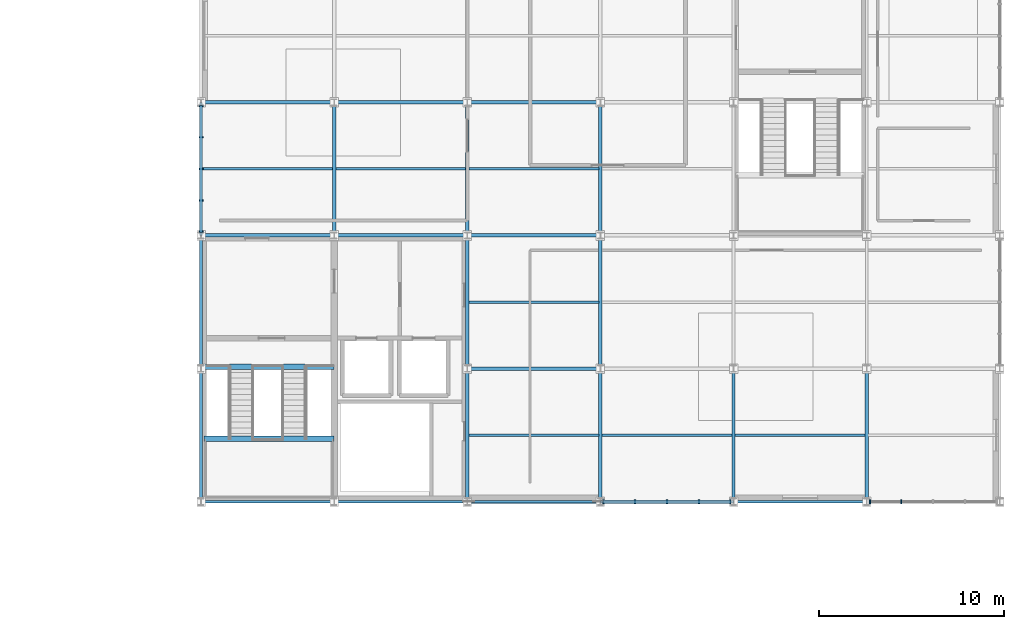
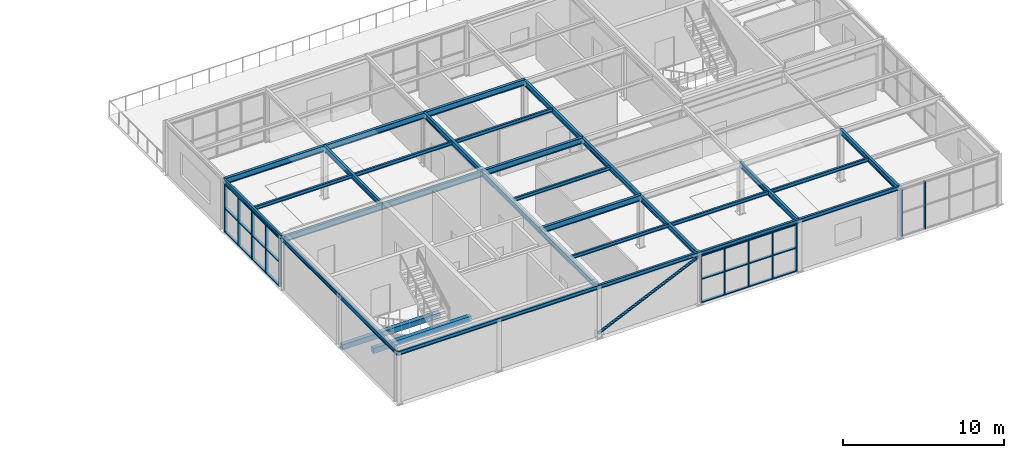
# One storey, part 11 of 30: 33 beams, 19 members, 3 elements without a shape of their own.
"""IFC4 building model written with IfcOpenShell, lengths in metres."""

from ifc_helpers import new_model, si_unit, direction, frame, origin, origin_2d, place, context, subcontext, project, spatial, rectangle, hollow_circle, i_section, extrude, material, material_profile, profile_set, type_object, element, aggregate, save


model = new_model("IFC4")

# Units and contexts
model_context = context("Model", 3, precision=1e-05, world=origin(), true_north=direction((0.0, 1.0)))
body_context = subcontext(model_context, "Body", "Model", "MODEL_VIEW")
ifc_project = project(units=[si_unit("LENGTHUNIT", "METRE"), si_unit("AREAUNIT", "SQUARE_METRE"), si_unit("VOLUMEUNIT", "CUBIC_METRE"), si_unit("PLANEANGLEUNIT", "RADIAN"), si_unit("MASSUNIT", "GRAM", prefix="KILO")], contexts=[model_context])

# Site, building, storey
site_placement = place(None, origin())
site = spatial("IfcSite", under=ifc_project, at=site_placement, CompositionType="ELEMENT")
building_placement = place(site_placement, origin())
building = spatial("IfcBuilding", under=site, at=building_placement, Name="Leyfeld Transit Interchange", CompositionType="ELEMENT")
storey_placement = place(building_placement, frame((0.0, 0.0, 13.800048828125)))
storey = spatial("IfcBuildingStorey", under=building, at=storey_placement, Name="L03", CompositionType="ELEMENT", Elevation=13.800048828125)

# Beams
ifc_material_1 = material(Name="Concrete C35/45", Category="concrete")
ifc_material_profile_1 = material_profile(ifc_material_1, rectangle(XDim=0.300048828125, YDim=0.39990234375, at=origin_2d()), Name="RC 400x300")
ifc_profile_set_1 = profile_set([ifc_material_profile_1], Name="Concrete C35/45")
beam_type_1 = type_object("IfcBeamType", Name="BM-RC-400x300", PredefinedType="LINTEL", material=ifc_profile_set_1)
for number, where, z_axis, x_axis, name in (
    (1, (136.949951171875, 64.89990234375, -0.199951171875), (1.0, 0.0, 0.0), (0.0, 1.0, 0.0), "Core K4 Floor Landing Corbel L03"),
    (2, (136.949951171875, 61.0, 1.89990234375), (1.0, 0.0, 0.0), (0.0, 1.0, 0.0), "Stair ST-04 L03 Half-Landing Corbel"),
):
    element("IfcBeam", number, at=place(storey_placement, frame(where, z_axis=z_axis, x_axis=x_axis)), inside=storey, type_object=beam_type_1, Name=name, PredefinedType="LINTEL", context=body_context, shape_type="SweptSolid", body=[
        extrude(rectangle(XDim=0.300048828125, YDim=0.39990234375, at=origin_2d()), origin(), (0.0, 0.0, 1.0), 7.050048828125),
    ])
ifc_material_2 = material(Name="Steel S355J2", Category="steel")
ifc_material_profile_2 = material_profile(ifc_material_2, i_section(OverallWidth=0.135009765625, OverallDepth=0.27001953125, WebThickness=0.006591796875, FlangeThickness=0.01025390625, FilletRadius=0.014892578125, at=origin_2d()), Name="IPE 270")
ifc_profile_set_2 = profile_set([ifc_material_profile_2], Name="Steel S355J2")
beam_type_2 = type_object("IfcBeamType", Name="BM-STL-IPE270", PredefinedType="BEAM", material=ifc_profile_set_2)
for number, where, z_axis, x_axis, name in (
    (3, (151.287109375, 61.199951171875, 3.784912109375), (1.0, 0.0, 0.0), (0.0, 1.0, 0.0), "Beam BM-L03-1513_0612-1583_0612"),
    (4, (151.287109375, 68.39990234375, 3.784912109375), (1.0, 0.0, 0.0), (0.0, 1.0, 0.0), "Beam BM-L03-1513_0684-1583_0684"),
):
    element("IfcBeam", number, at=place(storey_placement, frame(where, z_axis=z_axis, x_axis=x_axis)), inside=storey, type_object=beam_type_2, Name=name, PredefinedType="BEAM", context=body_context, shape_type="SweptSolid", body=[
        extrude(i_section(OverallWidth=0.135009765625, OverallDepth=0.27001953125, WebThickness=0.006591796875, FlangeThickness=0.01025390625, FilletRadius=0.014892578125, at=origin_2d()), origin(), (0.0, 0.0, 1.0), 7.02587890625),
    ])
beam_1_placement = place(storey_placement, frame((136.8720703125, 75.60009765625, 3.844970703125), z_axis=(1.0, 0.0, 0.0), x_axis=(0.0, 1.0, 0.0)))
element("IfcBeam", 5, at=beam_1_placement, inside=storey, type_object=beam_type_2, Name="Beam BM-L03-1369_0756-1439_0756", PredefinedType="BEAM", context=body_context, shape_type="SweptSolid", body=[
    extrude(i_section(OverallWidth=0.135009765625, OverallDepth=0.27001953125, WebThickness=0.006591796875, FlangeThickness=0.01025390625, FilletRadius=0.014892578125, at=origin_2d()), origin(), (0.0, 0.0, 1.0), 7.041015625),
])
beam_2_placement = place(storey_placement, frame((144.0869140625, 75.60009765625, 3.844970703125), z_axis=(1.0, 0.0, 0.0), x_axis=(0.0, 1.0, 0.0)))
element("IfcBeam", 6, at=beam_2_placement, inside=storey, type_object=beam_type_2, Name="Beam BM-L03-1441_0756-1511_0756", PredefinedType="BEAM", context=body_context, shape_type="SweptSolid", body=[
    extrude(i_section(OverallWidth=0.135009765625, OverallDepth=0.27001953125, WebThickness=0.006591796875, FlangeThickness=0.01025390625, FilletRadius=0.014892578125, at=origin_2d()), origin(), (0.0, 0.0, 1.0), 7.026123046875),
])
for number, where, z_axis, x_axis, name in (
    (7, (151.287109375, 75.60009765625, 3.844970703125), (1.0, 0.0, 0.0), (0.0, 1.0, 0.0), "Beam BM-L03-1513_0756-1583_0756"),
    (8, (158.487060546875, 61.199951171875, 3.764892578125), (1.0, 0.0, 0.0), (0.0, 1.0, 0.0), "Beam BM-L03-1585_0612-1655_0612"),
    (9, (165.68701171875, 61.199951171875, 3.764892578125), (1.0, 0.0, 0.0), (0.0, 1.0, 0.0), "Beam BM-L03-1657_0612-1727_0612"),
):
    element("IfcBeam", number, at=place(storey_placement, frame(where, z_axis=z_axis, x_axis=x_axis)), inside=storey, type_object=beam_type_2, Name=name, PredefinedType="BEAM", context=body_context, shape_type="SweptSolid", body=[
        extrude(i_section(OverallWidth=0.135009765625, OverallDepth=0.27001953125, WebThickness=0.006591796875, FlangeThickness=0.01025390625, FilletRadius=0.014892578125, at=origin_2d()), origin(), (0.0, 0.0, 1.0), 7.02587890625),
    ])
ifc_material_profile_3 = material_profile(ifc_material_2, i_section(OverallWidth=0.14990234375, OverallDepth=0.300048828125, WebThickness=0.007080078125, FlangeThickness=0.0107421875, FilletRadius=0.014892578125, at=origin_2d()), Name="IPE 300")
ifc_profile_set_3 = profile_set([ifc_material_profile_3], Name="Steel S355J2")
beam_type_3 = type_object("IfcBeamType", Name="BM-STL-IPE300", PredefinedType="SPANDREL", material=ifc_profile_set_3)
for number, where, z_axis, x_axis, name in (
    (10, (136.800048828125, 57.60009765625, 3.77001953125), (0.0, 1.0, 0.0), (-1.0, 0.0, 0.0), "Beam BM-L03-1368_0576-1368_0648"),
    (11, (136.800048828125, 64.800048828125, 3.77001953125), (0.0, 1.0, 0.0), (-1.0, 0.0, 0.0), "Beam BM-L03-1368_0648-1368_0720"),
    (12, (136.800048828125, 57.60009765625, 3.77001953125), (1.0, 0.0, 0.0), (0.0, 1.0, 0.0), "Beam BM-L03-1368_0576-1440_0576"),
    (13, (144.0, 57.60009765625, 3.77001953125), (1.0, 0.0, 0.0), (0.0, 1.0, 0.0), "Beam BM-L03-1440_0576-1512_0576"),
    (14, (151.199951171875, 57.60009765625, 3.77001953125), (1.0, 0.0, 0.0), (0.0, 1.0, 0.0), "Beam BM-L03-1512_0576-1584_0576"),
    (15, (136.800048828125, 72.0, 3.829833984375), (0.0, 1.0, 0.0), (-1.0, 0.0, 0.0), "Beam BM-L03-1368_0720-1368_0792"),
):
    element("IfcBeam", number, at=place(storey_placement, frame(where, z_axis=z_axis, x_axis=x_axis)), inside=storey, type_object=beam_type_3, Name=name, PredefinedType="SPANDREL", context=body_context, shape_type="SweptSolid", body=[
        extrude(i_section(OverallWidth=0.14990234375, OverallDepth=0.300048828125, WebThickness=0.007080078125, FlangeThickness=0.0107421875, FilletRadius=0.014892578125, at=origin_2d()), origin(), (0.0, 0.0, 1.0), 7.199951171875),
    ])
beam_3_placement = place(storey_placement, frame((158.39990234375, 57.60009765625, 3.75), z_axis=(1.0, 0.0, 0.0), x_axis=(0.0, 1.0, 0.0)))
element("IfcBeam", 16, at=beam_3_placement, inside=storey, type_object=beam_type_3, Name="Beam BM-L03-1584_0576-1656_0576", PredefinedType="SPANDREL", context=body_context, shape_type="SweptSolid", body=[
    extrude(i_section(OverallWidth=0.14990234375, OverallDepth=0.300048828125, WebThickness=0.007080078125, FlangeThickness=0.0107421875, FilletRadius=0.014892578125, at=origin_2d()), origin(), (0.0, 0.0, 1.0), 7.2001953125),
])
beam_4_placement = place(storey_placement, frame((165.60009765625, 57.60009765625, 3.75), z_axis=(1.0, 0.0, 0.0), x_axis=(0.0, 1.0, 0.0)))
element("IfcBeam", 17, at=beam_4_placement, inside=storey, type_object=beam_type_3, Name="Beam BM-L03-1656_0576-1728_0576", PredefinedType="SPANDREL", context=body_context, shape_type="SweptSolid", body=[
    extrude(i_section(OverallWidth=0.14990234375, OverallDepth=0.300048828125, WebThickness=0.007080078125, FlangeThickness=0.0107421875, FilletRadius=0.014892578125, at=origin_2d()), origin(), (0.0, 0.0, 1.0), 7.199951171875),
])
ifc_material_profile_4 = material_profile(ifc_material_2, i_section(OverallWidth=0.179931640625, OverallDepth=0.39990234375, WebThickness=0.008544921875, FlangeThickness=0.013427734375, FilletRadius=0.02099609375, at=origin_2d()), Name="IPE 400")
ifc_profile_set_4 = profile_set([ifc_material_profile_4], Name="Steel S355J2")
beam_type_4 = type_object("IfcBeamType", Name="BM-STL-IPE400", PredefinedType="BEAM", material=ifc_profile_set_4)
for number, where, z_axis, x_axis, name in (
    (18, (151.199951171875, 57.60009765625, 3.719970703125), (0.0, 1.0, 0.0), (-1.0, 0.0, 0.0), "Beam BM-L03-1512_0576-1512_0648"),
    (19, (151.199951171875, 64.800048828125, 3.719970703125), (0.0, 1.0, 0.0), (-1.0, 0.0, 0.0), "Beam BM-L03-1512_0648-1512_0720"),
    (20, (158.39990234375, 57.60009765625, 3.699951171875), (0.0, 1.0, 0.0), (-1.0, 0.0, 0.0), "Beam BM-L03-1584_0576-1584_0648"),
    (21, (158.39990234375, 64.800048828125, 3.719970703125), (0.0, 1.0, 0.0), (-1.0, 0.0, 0.0), "Beam BM-L03-1584_0648-1584_0720"),
    (22, (158.39990234375, 72.0, 3.719970703125), (0.0, 1.0, 0.0), (-1.0, 0.0, 0.0), "Beam BM-L03-1584_0720-1584_0792"),
    (23, (144.0, 72.0, 3.780029296875), (0.0, 1.0, 0.0), (-1.0, 0.0, 0.0), "Beam BM-L03-1440_0720-1440_0792"),
    (24, (151.199951171875, 72.0, 3.780029296875), (0.0, 1.0, 0.0), (-1.0, 0.0, 0.0), "Beam BM-L03-1512_0720-1512_0792"),
    (25, (165.60009765625, 57.60009765625, 3.699951171875), (0.0, 1.0, 0.0), (-1.0, 0.0, 0.0), "Beam BM-L03-1656_0576-1656_0648"),
    (26, (172.800048828125, 57.60009765625, 3.699951171875), (0.0, 1.0, 0.0), (-1.0, 0.0, 0.0), "Beam BM-L03-1728_0576-1728_0648"),
):
    element("IfcBeam", number, at=place(storey_placement, frame(where, z_axis=z_axis, x_axis=x_axis)), inside=storey, type_object=beam_type_4, Name=name, PredefinedType="BEAM", context=body_context, shape_type="SweptSolid", body=[
        extrude(i_section(OverallWidth=0.179931640625, OverallDepth=0.39990234375, WebThickness=0.008544921875, FlangeThickness=0.013427734375, FilletRadius=0.02099609375, at=origin_2d()), origin(), (0.0, 0.0, 1.0), 7.199951171875),
    ])
ifc_material_profile_5 = material_profile(ifc_material_2, i_section(OverallWidth=0.18994140625, OverallDepth=0.449951171875, WebThickness=0.009521484375, FlangeThickness=0.0146484375, FilletRadius=0.02099609375, at=origin_2d()), Name="IPE 450")
ifc_profile_set_5 = profile_set([ifc_material_profile_5], Name="Steel S355J2")
beam_type_5 = type_object("IfcBeamType", Name="BM-STL-IPE450", PredefinedType="BEAM", material=ifc_profile_set_5)
for number, where, z_axis, x_axis, name in (
    (27, (151.199951171875, 64.800048828125, 3.695068359375), (1.0, 0.0, 0.0), (0.0, 1.0, 0.0), "Beam BM-L03-1512_0648-1584_0648"),
    (28, (136.800048828125, 72.0, 3.695068359375), (1.0, 0.0, 0.0), (0.0, 1.0, 0.0), "Beam BM-L03-1368_0720-1440_0720"),
    (29, (144.0, 72.0, 3.695068359375), (1.0, 0.0, 0.0), (0.0, 1.0, 0.0), "Beam BM-L03-1440_0720-1512_0720"),
    (30, (151.199951171875, 72.0, 3.695068359375), (1.0, 0.0, 0.0), (0.0, 1.0, 0.0), "Beam BM-L03-1512_0720-1584_0720"),
    (31, (136.800048828125, 79.199951171875, 3.7548828125), (1.0, 0.0, 0.0), (0.0, 1.0, 0.0), "Beam BM-L03-1368_0792-1440_0792"),
    (32, (144.0, 79.199951171875, 3.7548828125), (1.0, 0.0, 0.0), (0.0, 1.0, 0.0), "Beam BM-L03-1440_0792-1512_0792"),
    (33, (151.199951171875, 79.199951171875, 3.7548828125), (1.0, 0.0, 0.0), (0.0, 1.0, 0.0), "Beam BM-L03-1512_0792-1584_0792"),
):
    element("IfcBeam", number, at=place(storey_placement, frame(where, z_axis=z_axis, x_axis=x_axis)), inside=storey, type_object=beam_type_5, Name=name, PredefinedType="BEAM", context=body_context, shape_type="SweptSolid", body=[
        extrude(i_section(OverallWidth=0.18994140625, OverallDepth=0.449951171875, WebThickness=0.009521484375, FlangeThickness=0.0146484375, FilletRadius=0.02099609375, at=origin_2d()), origin(), (0.0, 0.0, 1.0), 7.199951171875),
    ])

# Curtain wall, members
ifc_material_3 = material(Name="Anodised aluminium EN AW-6060 T66", Category="aluminium")
curtain_wall_type = type_object("IfcCurtainWallType", Name="CW-SYS-BUS-7200", PredefinedType="NOTDEFINED", material=ifc_material_3)
curtain_wall_1_placement = place(storey_placement, origin())
curtain_wall_1 = element("IfcCurtainWall", 34, at=curtain_wall_1_placement, inside=storey, type_object=curtain_wall_type, Name="Curtain Wall CW-L03-128", PredefinedType="NOTDEFINED")
ifc_material_profile_6 = material_profile(ifc_material_3, rectangle(XDim=0.074951171875, YDim=0.219970703125, at=origin_2d()), Name="CW-M 75x220")
ifc_profile_set_6 = profile_set([ifc_material_profile_6], Name="Anodised aluminium EN AW-6060 T66")
member_type_1 = type_object("IfcMemberType", Name="CW-MUL-180x70", PredefinedType="MULLION", material=ifc_profile_set_6)
member_1_placement = place(storey_placement, frame((136.800048828125, 72.20751953125, 0.0), z_axis=(0.0, 0.0, 1.0), x_axis=(0.0, 1.0, 0.0)))
member_1 = element("IfcMember", 35, at=member_1_placement, type_object=member_type_1, Name="Curtain Mullion CW-L03-128-M01", PredefinedType="MULLION", context=body_context, shape_type="SweptSolid", body=[
    extrude(rectangle(XDim=0.074951171875, YDim=0.219970703125, at=origin_2d()), origin(), (0.0, 0.0, 1.0), 3.679931640625),
])
member_2_placement = place(storey_placement, frame((136.800048828125, 73.885009765625, 0.0), z_axis=(0.0, 0.0, 1.0), x_axis=(0.0, 1.0, 0.0)))
member_2 = element("IfcMember", 36, at=member_2_placement, type_object=member_type_1, Name="Curtain Mullion CW-L03-128-M02", PredefinedType="MULLION", context=body_context, shape_type="SweptSolid", body=[
    extrude(rectangle(XDim=0.074951171875, YDim=0.219970703125, at=origin_2d()), origin(), (0.0, 0.0, 1.0), 3.679931640625),
])
member_3_placement = place(storey_placement, frame((136.800048828125, 75.60009765625, 0.0), z_axis=(0.0, 0.0, 1.0), x_axis=(0.0, 1.0, 0.0)))
member_3 = element("IfcMember", 37, at=member_3_placement, type_object=member_type_1, Name="Curtain Mullion CW-L03-128-M03", PredefinedType="MULLION", context=body_context, shape_type="SweptSolid", body=[
    extrude(rectangle(XDim=0.074951171875, YDim=0.219970703125, at=origin_2d()), origin(), (0.0, 0.0, 1.0), 3.679931640625),
])
member_4_placement = place(storey_placement, frame((136.800048828125, 77.31494140625, 0.0), z_axis=(0.0, 0.0, 1.0), x_axis=(0.0, 1.0, 0.0)))
member_4 = element("IfcMember", 38, at=member_4_placement, type_object=member_type_1, Name="Curtain Mullion CW-L03-128-M04", PredefinedType="MULLION", context=body_context, shape_type="SweptSolid", body=[
    extrude(rectangle(XDim=0.074951171875, YDim=0.219970703125, at=origin_2d()), origin(), (0.0, 0.0, 1.0), 3.679931640625),
])
member_5_placement = place(storey_placement, frame((136.800048828125, 78.992431640625, 0.0), z_axis=(0.0, 0.0, 1.0), x_axis=(0.0, 1.0, 0.0)))
member_5 = element("IfcMember", 39, at=member_5_placement, type_object=member_type_1, Name="Curtain Mullion CW-L03-128-M05", PredefinedType="MULLION", context=body_context, shape_type="SweptSolid", body=[
    extrude(rectangle(XDim=0.074951171875, YDim=0.219970703125, at=origin_2d()), origin(), (0.0, 0.0, 1.0), 3.679931640625),
])

curtain_wall_2_placement = place(storey_placement, origin())
curtain_wall_2 = element("IfcCurtainWall", 40, at=curtain_wall_2_placement, inside=storey, type_object=curtain_wall_type, Name="Curtain Wall CW-L03-133", PredefinedType="NOTDEFINED")
member_6_placement = place(storey_placement, frame((174.669921875, 57.60009765625, 0.0), z_axis=(0.0, 0.0, 1.0), x_axis=(-1.0, 0.0, 0.0)))
member_6 = element("IfcMember", 41, at=member_6_placement, type_object=member_type_1, Name="Curtain Mullion CW-L03-133-M04", PredefinedType="MULLION", context=body_context, shape_type="SweptSolid", body=[
    extrude(rectangle(XDim=0.074951171875, YDim=0.219970703125, at=origin_2d()), origin(), (0.0, 0.0, 1.0), 3.599853515625),
])
member_7_placement = place(storey_placement, frame((172.9775390625, 57.60009765625, 0.0), z_axis=(0.0, 0.0, 1.0), x_axis=(-1.0, 0.0, 0.0)))
member_7 = element("IfcMember", 42, at=member_7_placement, type_object=member_type_1, Name="Curtain Mullion CW-L03-133-M05", PredefinedType="MULLION", context=body_context, shape_type="SweptSolid", body=[
    extrude(rectangle(XDim=0.074951171875, YDim=0.219970703125, at=origin_2d()), origin(), (0.0, 0.0, 1.0), 3.599853515625),
])
aggregate(curtain_wall_2, [member_6, member_7])

curtain_wall_3_placement = place(storey_placement, origin())
curtain_wall_3 = element("IfcCurtainWall", 43, at=curtain_wall_3_placement, inside=storey, type_object=curtain_wall_type, Name="Curtain Wall CW-L03-134", PredefinedType="NOTDEFINED")
member_8_placement = place(storey_placement, frame((165.422607421875, 57.60009765625, 0.0), z_axis=(0.0, 0.0, 1.0), x_axis=(-1.0, 0.0, 0.0)))
member_8 = element("IfcMember", 44, at=member_8_placement, type_object=member_type_1, Name="Curtain Mullion CW-L03-134-M01", PredefinedType="MULLION", context=body_context, shape_type="SweptSolid", body=[
    extrude(rectangle(XDim=0.074951171875, YDim=0.219970703125, at=origin_2d()), origin(), (0.0, 0.0, 1.0), 3.599853515625),
])
member_9_placement = place(storey_placement, frame((163.72998046875, 57.60009765625, 0.0), z_axis=(0.0, 0.0, 1.0), x_axis=(-1.0, 0.0, 0.0)))
member_9 = element("IfcMember", 45, at=member_9_placement, type_object=member_type_1, Name="Curtain Mullion CW-L03-134-M02", PredefinedType="MULLION", context=body_context, shape_type="SweptSolid", body=[
    extrude(rectangle(XDim=0.074951171875, YDim=0.219970703125, at=origin_2d()), origin(), (0.0, 0.0, 1.0), 3.599853515625),
])
member_10_placement = place(storey_placement, frame((162.0, 57.60009765625, 0.0), z_axis=(0.0, 0.0, 1.0), x_axis=(-1.0, 0.0, 0.0)))
member_10 = element("IfcMember", 46, at=member_10_placement, type_object=member_type_1, Name="Curtain Mullion CW-L03-134-M03", PredefinedType="MULLION", context=body_context, shape_type="SweptSolid", body=[
    extrude(rectangle(XDim=0.074951171875, YDim=0.219970703125, at=origin_2d()), origin(), (0.0, 0.0, 1.0), 3.599853515625),
])
member_11_placement = place(storey_placement, frame((160.27001953125, 57.60009765625, 0.0), z_axis=(0.0, 0.0, 1.0), x_axis=(-1.0, 0.0, 0.0)))
member_11 = element("IfcMember", 47, at=member_11_placement, type_object=member_type_1, Name="Curtain Mullion CW-L03-134-M04", PredefinedType="MULLION", context=body_context, shape_type="SweptSolid", body=[
    extrude(rectangle(XDim=0.074951171875, YDim=0.219970703125, at=origin_2d()), origin(), (0.0, 0.0, 1.0), 3.599853515625),
])
member_12_placement = place(storey_placement, frame((158.577392578125, 57.60009765625, 0.0), z_axis=(0.0, 0.0, 1.0), x_axis=(-1.0, 0.0, 0.0)))
member_12 = element("IfcMember", 48, at=member_12_placement, type_object=member_type_1, Name="Curtain Mullion CW-L03-134-M05", PredefinedType="MULLION", context=body_context, shape_type="SweptSolid", body=[
    extrude(rectangle(XDim=0.074951171875, YDim=0.219970703125, at=origin_2d()), origin(), (0.0, 0.0, 1.0), 3.599853515625),
])

# Member
ifc_material_profile_7 = material_profile(ifc_material_3, rectangle(XDim=0.179931640625, YDim=0.074951171875, at=origin_2d()), Name="CW-TRN-160x70")
ifc_profile_set_7 = profile_set([ifc_material_profile_7], Name="Anodised aluminium EN AW-6060 T66")
member_type_2 = type_object("IfcMemberType", Name="CW-TRN-160x70", PredefinedType="USERDEFINED", material=ifc_profile_set_7)
member_13_placement = place(storey_placement, frame((136.800048828125, 72.169921875, 0.037353515625), z_axis=(0.0, 1.0, 0.0), x_axis=(-1.0, 0.0, 0.0)))
member_13 = element("IfcMember", 49, at=member_13_placement, type_object=member_type_2, Name="Curtain Transom CW-L03-128-T01", ObjectType="TRANSOM", PredefinedType="USERDEFINED", context=body_context, shape_type="SweptSolid", body=[
    extrude(rectangle(XDim=0.179931640625, YDim=0.074951171875, at=origin_2d()), origin(), (0.0, 0.0, 1.0), 6.860107421875),
])

member_14_placement = place(storey_placement, frame((136.800048828125, 72.169921875, 1.83984375), z_axis=(0.0, 1.0, 0.0), x_axis=(-1.0, 0.0, 0.0)))
member_14 = element("IfcMember", 50, at=member_14_placement, type_object=member_type_2, Name="Curtain Transom CW-L03-128-T02", ObjectType="TRANSOM", PredefinedType="USERDEFINED", context=body_context, shape_type="SweptSolid", body=[
    extrude(rectangle(XDim=0.179931640625, YDim=0.074951171875, at=origin_2d()), origin(), (0.0, 0.0, 1.0), 6.860107421875),
])

member_15_placement = place(storey_placement, frame((136.800048828125, 72.169921875, 3.642333984375), z_axis=(0.0, 1.0, 0.0), x_axis=(-1.0, 0.0, 0.0)))
member_15 = element("IfcMember", 51, at=member_15_placement, type_object=member_type_2, Name="Curtain Transom CW-L03-128-T03", ObjectType="TRANSOM", PredefinedType="USERDEFINED", context=body_context, shape_type="SweptSolid", body=[
    extrude(rectangle(XDim=0.179931640625, YDim=0.074951171875, at=origin_2d()), origin(), (0.0, 0.0, 1.0), 6.860107421875),
])

aggregate(curtain_wall_1, [member_1, member_2, member_3, member_4, member_5, member_13, member_14, member_15])

member_16_placement = place(storey_placement, frame((165.4599609375, 57.60009765625, 0.037353515625), z_axis=(-1.0, 0.0, 0.0), x_axis=(0.0, -1.0, 0.0)))
member_16 = element("IfcMember", 52, at=member_16_placement, type_object=member_type_2, Name="Curtain Transom CW-L03-134-T01", ObjectType="TRANSOM", PredefinedType="USERDEFINED", context=body_context, shape_type="SweptSolid", body=[
    extrude(rectangle(XDim=0.179931640625, YDim=0.074951171875, at=origin_2d()), origin(), (0.0, 0.0, 1.0), 6.919921875),
])

member_17_placement = place(storey_placement, frame((165.4599609375, 57.60009765625, 1.800048828125), z_axis=(-1.0, 0.0, 0.0), x_axis=(0.0, -1.0, 0.0)))
member_17 = element("IfcMember", 53, at=member_17_placement, type_object=member_type_2, Name="Curtain Transom CW-L03-134-T02", ObjectType="TRANSOM", PredefinedType="USERDEFINED", context=body_context, shape_type="SweptSolid", body=[
    extrude(rectangle(XDim=0.179931640625, YDim=0.074951171875, at=origin_2d()), origin(), (0.0, 0.0, 1.0), 6.919921875),
])

member_18_placement = place(storey_placement, frame((165.4599609375, 57.60009765625, 3.5625), z_axis=(-1.0, 0.0, 0.0), x_axis=(0.0, -1.0, 0.0)))
member_18 = element("IfcMember", 54, at=member_18_placement, type_object=member_type_2, Name="Curtain Transom CW-L03-134-T03", ObjectType="TRANSOM", PredefinedType="USERDEFINED", context=body_context, shape_type="SweptSolid", body=[
    extrude(rectangle(XDim=0.179931640625, YDim=0.074951171875, at=origin_2d()), origin(), (0.0, 0.0, 1.0), 6.919921875),
])

aggregate(curtain_wall_3, [member_8, member_9, member_10, member_11, member_12, member_16, member_17, member_18])

ifc_material_profile_8 = material_profile(ifc_material_2, hollow_circle(Radius=0.109619140625, WallThickness=0.012451171875, at=origin_2d()), Name="CHS 219.1x12.5")
ifc_profile_set_8 = profile_set([ifc_material_profile_8], Name="Steel S355J2")
member_type_3 = type_object("IfcMemberType", Name="MEM-BRC-CHS219", PredefinedType="BRACE", material=ifc_profile_set_8)
member_19_placement = place(storey_placement, frame((151.199951171875, 57.60009765625, 0.25), z_axis=(0.909061417515, 0.0, 0.416662140332), x_axis=(0.0, 1.0, 0.0)))
element("IfcMember", 55, at=member_19_placement, inside=storey, type_object=member_type_3, Name="Lateral Diagonal Brace 010", PredefinedType="BRACE", context=body_context, shape_type="SweptSolid", body=[
    extrude(hollow_circle(Radius=0.109619140625, WallThickness=0.012451171875, at=origin_2d()), origin(), (0.0, 0.0, 1.0), 7.920166015625),
])

save(model, "model.ifc")
